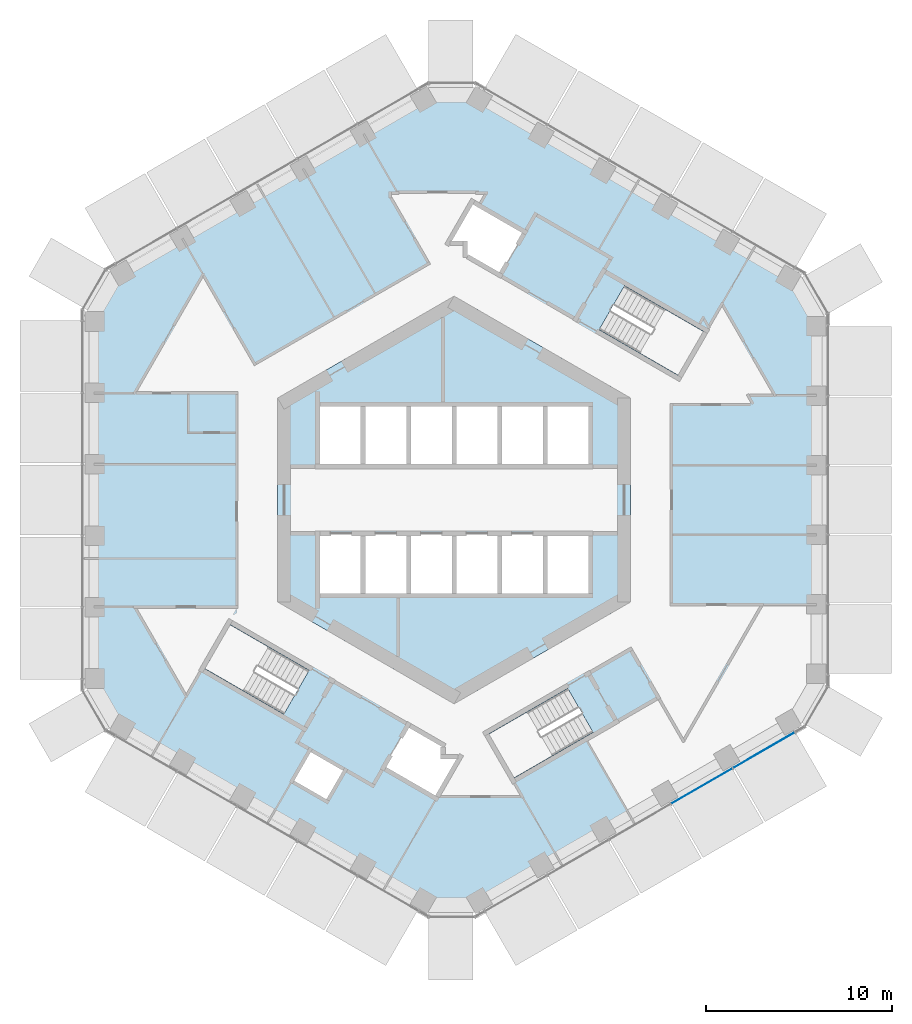
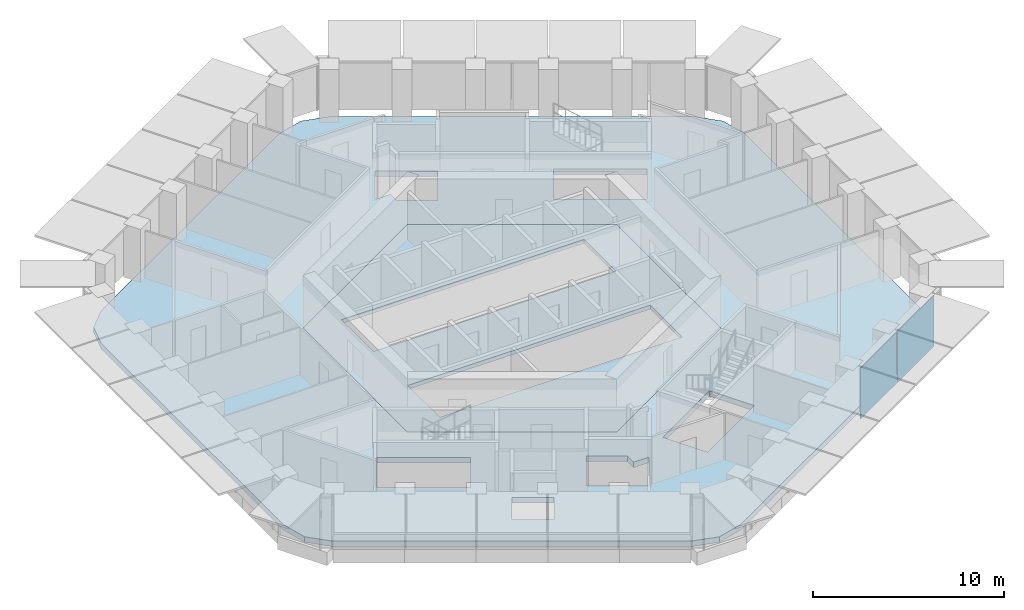
# One storey, part 9 of 18: 2 plates, 2 slabs, 1 element without a shape of its own.
"""IFC4 building model written with IfcOpenShell, lengths in metres."""

from ifc_helpers import new_model, si_unit, direction, frame, origin, origin_2d, place, context, subcontext, project, spatial, polyline, rectangle, outline, extrude, material, layer, layer_set, type_object, element, aggregate, save


model = new_model("IFC4")

# Units and contexts
model_context = context("Model", 3, precision=1e-05, world=origin(), true_north=direction((0.0, 1.0)))
body_context = subcontext(model_context, "Body", "Model", "MODEL_VIEW")
ifc_project = project(units=[si_unit("LENGTHUNIT", "METRE"), si_unit("AREAUNIT", "SQUARE_METRE"), si_unit("VOLUMEUNIT", "CUBIC_METRE"), si_unit("PLANEANGLEUNIT", "RADIAN"), si_unit("MASSUNIT", "GRAM", prefix="KILO")], contexts=[model_context])

# Site, building, storey
site_placement = place(None, origin())
site = spatial("IfcSite", under=ifc_project, at=site_placement, CompositionType="ELEMENT")
building_placement = place(site_placement, origin())
building = spatial("IfcBuilding", under=site, at=building_placement, Name="Ayvan Gate Tower", CompositionType="ELEMENT")
storey_placement = place(building_placement, frame((0.0, 0.0, 89.89990234375)))
storey = spatial("IfcBuildingStorey", under=building, at=storey_placement, Name="L23", CompositionType="ELEMENT", Elevation=89.89990234375)

# Slabs
ifc_material_1 = material(Name="Concrete C40/50", Category="concrete")
ifc_layer_1 = layer(ifc_material_1, 0.35009765625)
ifc_layer_set_1 = layer_set([ifc_layer_1], Name="Concrete C40/50")
slab_type_1 = type_object("IfcSlabType", Name="Post-tensioned flat slab 350", PredefinedType="FLOOR", material=ifc_layer_set_1)
slab_1_placement = place(storey_placement, frame((0.0, 0.0, -0.349853515625)))
element("IfcSlab", 1, at=slab_1_placement, inside=storey, type_object=slab_type_1, Name="SL-L23", PredefinedType="FLOOR", context=body_context, shape_type="SweptSolid", body=[
    extrude(outline(polyline([(-0.11865234375, -21.96728515625), (-1.61865234375, -21.5654296875), (-17.866943359375, -12.1845703125), (-18.96484375, -11.08642578125), (-19.366943359375, -9.58642578125), (-19.366943359375, 9.58642578125), (-18.96484375, 11.08642578125), (-17.866943359375, 12.1845703125), (-1.61865234375, 21.5654296875), (-0.11865234375, 21.96728515625), (1.38134765625, 21.5654296875), (17.985595703125, 11.97900390625), (19.083740234375, 10.880859375), (19.485595703125, 9.380859375), (19.485595703125, -9.380859375), (19.083740234375, -10.880859375), (17.985595703125, -11.97900390625), (1.38134765625, -21.5654296875), (-0.11865234375, -21.96728515625)]), holes=[polyline([(13.404541015625, 9.0673828125), (9.1611328125, 11.517578125), (7.80615234375, 9.170654296875), (12.049560546875, 6.720458984375), (13.404541015625, 9.0673828125)]), polyline([(0.0, 10.9697265625), (-9.5, 5.48486328125), (-9.5, -5.48486328125), (0.0, -10.9697265625), (9.5, -5.48486328125), (9.5, 5.48486328125), (0.0, 10.9697265625)]), polyline([(3.228759765625, -14.9423828125), (7.472412109375, -12.492431640625), (6.117431640625, -10.1455078125), (1.873779296875, -12.595458984375), (3.228759765625, -14.9423828125)]), polyline([(2.472412109375, 12.08251953125), (3.822509765625, 14.420654296875), (0.964599609375, 16.07080078125), (-0.340576171875, 13.81005859375), (0.60009765625, 13.81005859375), (0.60009765625, 13.16357421875), (2.472412109375, 12.08251953125)]), polyline([(0.340576171875, -13.81005859375), (-0.60009765625, -13.81005859375), (-0.60009765625, -13.16357421875), (-2.472412109375, -12.08251953125), (-3.822509765625, -14.420654296875), (-0.964599609375, -16.07080078125), (-0.905029296875, -15.96728515625), (0.340576171875, -13.81005859375)]), polyline([(-6.8349609375, -16.23876953125), (-5.8447265625, -14.5234375), (-7.75, -13.42333984375), (-8.740234375, -15.138671875), (-6.8349609375, -16.23876953125)]), polyline([(-7.80615234375, -9.170654296875), (-12.049560546875, -6.720458984375), (-13.404541015625, -9.0673828125), (-9.1611328125, -11.517578125), (-7.80615234375, -9.170654296875)])]), origin(), (0.0, 0.0, 1.0), 0.349853515625),
])
ifc_layer_2 = layer(ifc_material_1, 0.25)
ifc_layer_set_2 = layer_set([ifc_layer_2], Name="Concrete C40/50")
slab_type_2 = type_object("IfcSlabType", Name="SL-CORE-250", PredefinedType="FLOOR", material=ifc_layer_set_2)
slab_2_placement = place(storey_placement, frame((0.0, 0.0, -0.25)))
element("IfcSlab", 2, at=slab_2_placement, inside=storey, type_object=slab_type_2, Name="CS-L23", PredefinedType="FLOOR", context=body_context, shape_type="SweptSolid", body=[
    extrude(outline(polyline([(9.5, -5.48486328125), (0.0, -10.9697265625), (-9.5, -5.48486328125), (-9.5, 5.48486328125), (0.0, 10.9697265625), (9.5, 5.48486328125), (9.5, -5.48486328125)]), holes=[polyline([(-7.35009765625, -1.800048828125), (-7.35009765625, -5.14990234375), (7.35009765625, -5.14990234375), (7.35009765625, -1.800048828125), (-7.35009765625, -1.800048828125)]), polyline([(-7.35009765625, 5.14990234375), (-7.35009765625, 1.800048828125), (7.35009765625, 1.800048828125), (7.35009765625, 5.14990234375), (-7.35009765625, 5.14990234375)])]), origin(), (0.0, 0.0, 1.0), 0.25),
])

# Curtain wall, plates
ifc_material_2 = material(Name="Bronze anodised aluminium", Category="aluminium")
ifc_layer_3 = layer(ifc_material_2, 0.199951171875)
ifc_layer_set_3 = layer_set([ifc_layer_3], Name="Bronze anodised aluminium")
curtain_wall_type = type_object("IfcCurtainWallType", Name="Stick curtain wall CW-1", PredefinedType="NOTDEFINED", material=ifc_layer_set_3)
curtain_wall_placement = place(storey_placement, origin())
curtain_wall = element("IfcCurtainWall", 3, at=curtain_wall_placement, inside=storey, type_object=curtain_wall_type, Name="Stick curtain wall CW-1 L23", PredefinedType="NOTDEFINED")
ifc_material_3 = material(Name="Clear low-iron laminated glass", Category="glass")
ifc_layer_4 = layer(ifc_material_3, 0.028076171875)
ifc_layer_set_4 = layer_set([ifc_layer_4], Name="Clear low-iron laminated glass")
plate_type = type_object("IfcPlateType", Name="Stick curtain wall CW-1 glass panel", PredefinedType="CURTAIN_PANEL", material=ifc_layer_set_4)
plate_1_placement = place(storey_placement, frame((13.322509765625, -15.392822265625, 0.0), z_axis=(0.0, 0.0, 1.0), x_axis=(0.866025403784, 0.5, 0.0)))
plate_1 = element("IfcPlate", 4, at=plate_1_placement, type_object=plate_type, Name="CW-1 glass panel 4", PredefinedType="CURTAIN_PANEL", context=body_context, shape_type="SweptSolid", body=[
    extrude(rectangle(XDim=3.781982421875, YDim=0.028076171875, at=origin_2d()), origin(), (0.0, 0.0, 1.0), 3.280029296875),
])
plate_2_placement = place(storey_placement, frame((16.677734375, -13.455810546875, 0.0), z_axis=(0.0, 0.0, 1.0), x_axis=(0.866025403784, 0.5, 0.0)))
plate_2 = element("IfcPlate", 5, at=plate_2_placement, type_object=plate_type, Name="CW-1 glass panel 5", PredefinedType="CURTAIN_PANEL", context=body_context, shape_type="SweptSolid", body=[
    extrude(rectangle(XDim=3.846435546875, YDim=0.028076171875, at=origin_2d()), origin(), (0.0, 0.0, 1.0), 3.280029296875),
])
aggregate(curtain_wall, [plate_1, plate_2])

save(model, "model.ifc")
